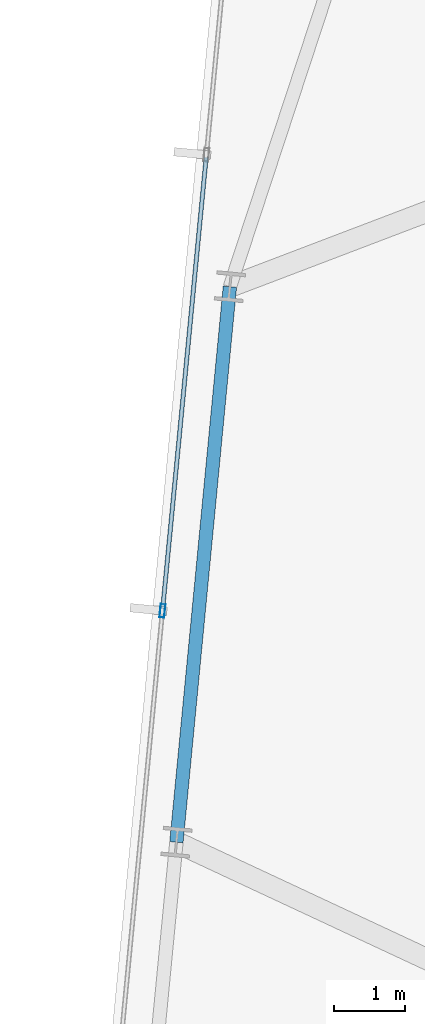
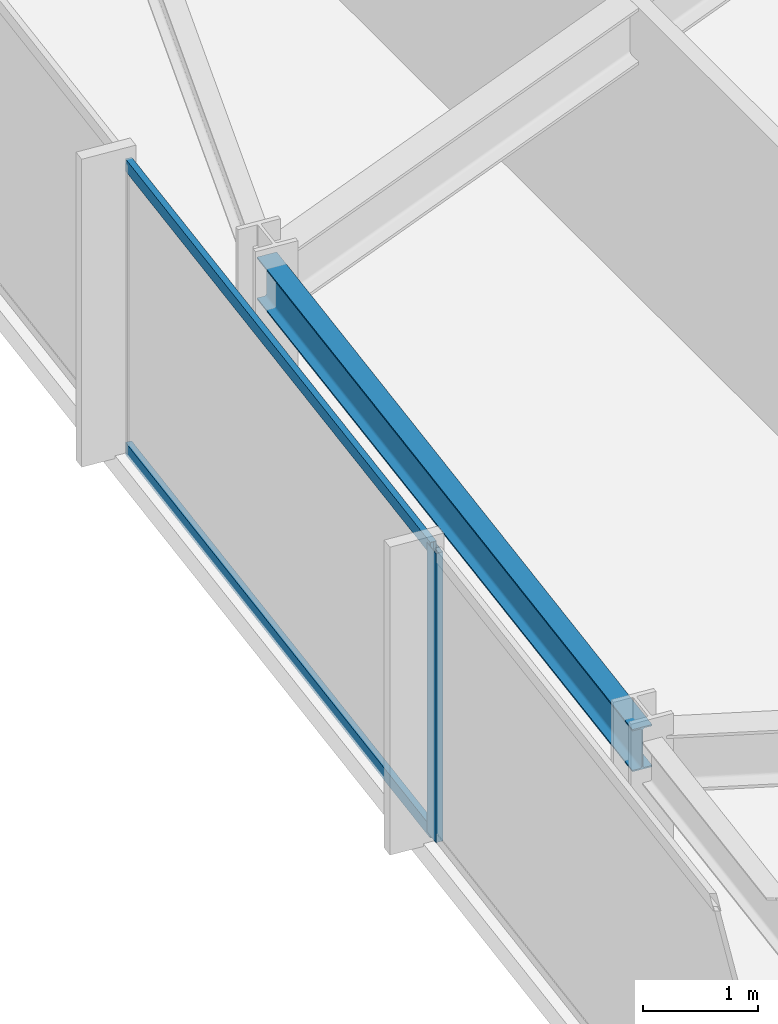
# One storey, part 10 of 38: 3 members, 1 beam, 1 element without a shape of its own.
"""IFC4 building model written with IfcOpenShell, lengths in metres."""

from ifc_helpers import new_model, si_unit, direction, frame, origin, origin_2d, place, context, subcontext, project, spatial, hollow_rectangle, i_section, extrude, material, material_profile, profile_set, type_object, element, aggregate, save


model = new_model("IFC4")

# Units and contexts
model_context = context("Model", 3, precision=1e-05, world=origin(), true_north=direction((0.0, 1.0)))
body_context = subcontext(model_context, "Body", "Model", "MODEL_VIEW")
ifc_project = project(units=[si_unit("LENGTHUNIT", "METRE"), si_unit("AREAUNIT", "SQUARE_METRE"), si_unit("VOLUMEUNIT", "CUBIC_METRE"), si_unit("PLANEANGLEUNIT", "RADIAN"), si_unit("MASSUNIT", "GRAM", prefix="KILO")], contexts=[model_context])

# Site, building, storey
site_placement = place(None, origin())
site = spatial("IfcSite", under=ifc_project, at=site_placement, CompositionType="ELEMENT")
building_placement = place(site_placement, origin())
building = spatial("IfcBuilding", under=site, at=building_placement, Name="Yelkora Congress Tower", CompositionType="ELEMENT")
storey_placement = place(building_placement, frame((0.0, 0.0, 155.60009765625)))
storey = spatial("IfcBuildingStorey", under=building, at=storey_placement, Name="L42", CompositionType="ELEMENT", Elevation=155.60009765625)

# Beam
ifc_material_1 = material(Name="Steel S355J2", Category="steel")
ifc_material_profile_1 = material_profile(ifc_material_1, i_section(OverallWidth=0.18994140625, OverallDepth=0.449951171875, WebThickness=0.009521484375, FlangeThickness=0.0146484375, FilletRadius=0.02099609375, at=origin_2d()), Name="IPE 450")
ifc_profile_set_1 = profile_set([ifc_material_profile_1], Name="Steel S355J2")
beam_type = type_object("IfcBeamType", Name="BM-SPAN-IPE450", PredefinedType="SPANDREL", material=ifc_profile_set_1)
beam_placement = place(storey_placement, frame((4.121826171875, 40.4580078125, 2.85498046875), z_axis=(-0.095864922257, -0.995394352345, 0.0), x_axis=(0.995394352345, -0.095864922257, 0.0)))
element("IfcBeam", 1, at=beam_placement, inside=storey, type_object=beam_type, Name="L42 Perimeter Beam 17", PredefinedType="SPANDREL", context=body_context, shape_type="SweptSolid", body=[
    extrude(i_section(OverallWidth=0.18994140625, OverallDepth=0.449951171875, WebThickness=0.009521484375, FlangeThickness=0.0146484375, FilletRadius=0.02099609375, at=origin_2d()), origin(), (0.0, 0.0, 1.0), 7.89990234375),
])

# Curtain wall, members
ifc_material_2 = material(Name="Anodised aluminium and insulated glass", Category="aluminium")
curtain_wall_type = type_object("IfcCurtainWallType", Name="CW-SYS-B3", PredefinedType="NOTDEFINED", material=ifc_material_2)
curtain_wall_placement = place(storey_placement, origin())
curtain_wall = element("IfcCurtainWall", 2, at=curtain_wall_placement, inside=storey, type_object=curtain_wall_type, Name="L42 Unitised Curtain Wall 5", PredefinedType="NOTDEFINED")
ifc_material_3 = material(Name="Anodised aluminium 6063-T6", Category="aluminium")
ifc_material_profile_2 = material_profile(ifc_material_3, hollow_rectangle(XDim=0.070068359375, YDim=0.18994140625, WallThickness=0.00390625, at=origin_2d()), Name="ALU 70x190x4")
ifc_profile_set_2 = profile_set([ifc_material_profile_2], Name="Anodised aluminium 6063-T6")
member_type_1 = type_object("IfcMemberType", Name="MEM-ML-B3", PredefinedType="MULLION", material=ifc_profile_set_2)
member_1_placement = place(storey_placement, frame((3.167724609375, 35.870361328125, 0.0), z_axis=(0.0, 0.0, 1.0), x_axis=(-0.995396242473, 0.095845294465, 0.0)))
member_1 = element("IfcMember", 3, at=member_1_placement, type_object=member_type_1, Name="CW-B3 mullion 4", PredefinedType="MULLION", context=body_context, shape_type="SweptSolid", body=[
    extrude(hollow_rectangle(XDim=0.070068359375, YDim=0.18994140625, WallThickness=0.00390625, at=origin_2d()), origin(), (0.0, 0.0, 1.0), 3.079833984375),
])
ifc_material_profile_3 = material_profile(ifc_material_3, hollow_rectangle(XDim=0.06005859375, YDim=0.1298828125, WallThickness=0.00390625, at=origin_2d()), Name="ALU 60x130x4")
ifc_profile_set_3 = profile_set([ifc_material_profile_3], Name="Anodised aluminium 6063-T6")
member_type_2 = type_object("IfcMemberType", Name="MEM-TR-B3", PredefinedType="USERDEFINED", material=ifc_profile_set_3)
member_2_placement = place(storey_placement, frame((3.171142578125, 35.9052734375, 0.02978515625), z_axis=(0.095847313538, 0.995396048057, 0.0), x_axis=(-0.995396048057, 0.095847313538, 0.0)))
member_2 = element("IfcMember", 4, at=member_2_placement, type_object=member_type_2, Name="CW-B3 transom 4.1", ObjectType="TRANSOM", PredefinedType="USERDEFINED", context=body_context, shape_type="SweptSolid", body=[
    extrude(hollow_rectangle(XDim=0.06005859375, YDim=0.1298828125, WallThickness=0.00390625, at=origin_2d()), origin(), (0.0, 0.0, 1.0), 6.413818359375),
])
member_3_placement = place(storey_placement, frame((3.171142578125, 35.9052734375, 3.0498046875), z_axis=(0.095847313538, 0.995396048057, 0.0), x_axis=(-0.995396048057, 0.095847313538, 0.0)))
member_3 = element("IfcMember", 5, at=member_3_placement, type_object=member_type_2, Name="CW-B3 transom 4.2", ObjectType="TRANSOM", PredefinedType="USERDEFINED", context=body_context, shape_type="SweptSolid", body=[
    extrude(hollow_rectangle(XDim=0.06005859375, YDim=0.1298828125, WallThickness=0.00390625, at=origin_2d()), origin(), (0.0, 0.0, 1.0), 6.413818359375),
])
aggregate(curtain_wall, [member_1, member_2, member_3])

save(model, "model.ifc")
